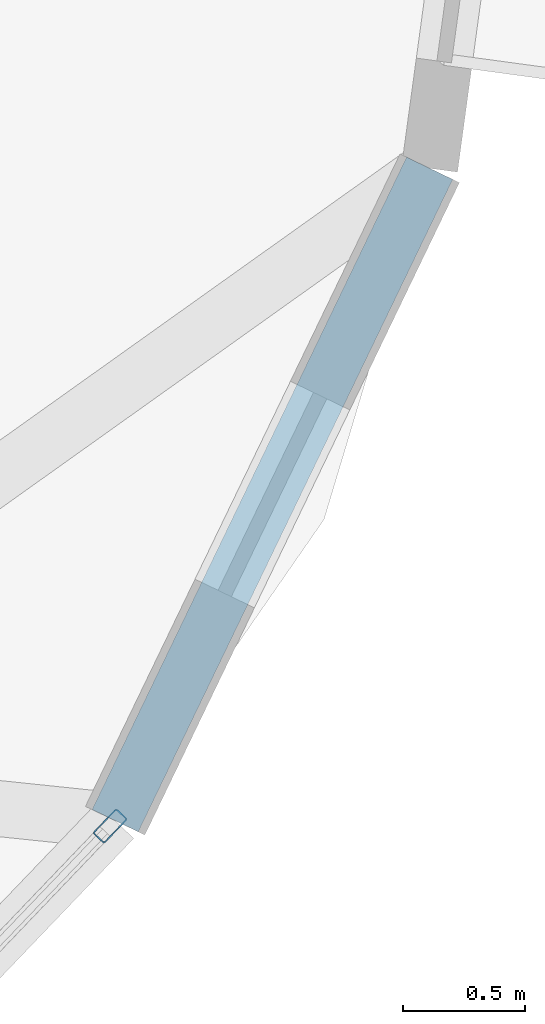
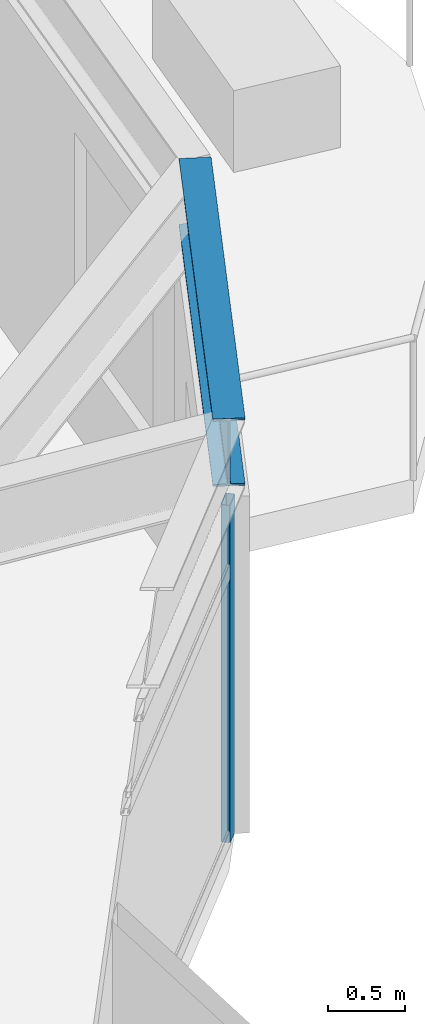
# One storey, part 13 of 27: 1 beam, 1 member, 1 element without a shape of its own.
"""IFC4 building model written with IfcOpenShell, lengths in metres."""

from ifc_helpers import new_model, si_unit, direction, frame, origin, origin_2d, place, context, subcontext, project, spatial, hollow_rectangle, i_section, extrude, material, layer, layer_set, material_profile, profile_set, type_object, element, aggregate, save


model = new_model("IFC4")

# Units and contexts
model_context = context("Model", 3, precision=1e-05, world=origin(), true_north=direction((0.0, 1.0)))
body_context = subcontext(model_context, "Body", "Model", "MODEL_VIEW")
ifc_project = project(units=[si_unit("LENGTHUNIT", "METRE"), si_unit("AREAUNIT", "SQUARE_METRE"), si_unit("VOLUMEUNIT", "CUBIC_METRE"), si_unit("PLANEANGLEUNIT", "RADIAN"), si_unit("MASSUNIT", "GRAM", prefix="KILO")], contexts=[model_context])

# Site, building, storey
site_placement = place(None, origin())
site = spatial("IfcSite", under=ifc_project, at=site_placement, CompositionType="ELEMENT")
building_placement = place(site_placement, origin())
building = spatial("IfcBuilding", under=site, at=building_placement, Name="Soratama Intermodal Tower", CompositionType="ELEMENT")
storey_placement = place(building_placement, frame((0.0, 0.0, 208.60009765625)))
storey = spatial("IfcBuildingStorey", under=building, at=storey_placement, Name="L52", CompositionType="ELEMENT", Elevation=208.60009765625)

# Beam
ifc_material_1 = material(Name="Structural steel ASTM A992 Grade 50", Category="steel")
ifc_material_profile_1 = material_profile(ifc_material_1, i_section(OverallWidth=0.2099609375, OverallDepth=0.537109375, WebThickness=0.010986328125, FlangeThickness=0.017333984375, FilletRadius=0.012939453125, at=origin_2d()), Name="W21X68")
ifc_profile_set_1 = profile_set([ifc_material_profile_1], Name="Structural steel ASTM A992 Grade 50")
beam_type = type_object("IfcBeamType", Name="BM-SPN-W21X68", PredefinedType="SPANDREL", material=ifc_profile_set_1)
beam_placement = place(storey_placement, frame((62.4951171875, 14.9189453125, 3.031494140625), z_axis=(0.434162040118, 0.900834792246, 0.0), x_axis=(-0.900834792246, 0.434162040118, 0.0)))
element("IfcBeam", 1, at=beam_placement, inside=storey, type_object=beam_type, Name="BS-L52-CRN08", PredefinedType="SPANDREL", context=body_context, shape_type="SweptSolid", body=[
    extrude(i_section(OverallWidth=0.2099609375, OverallDepth=0.537109375, WebThickness=0.010986328125, FlangeThickness=0.017333984375, FilletRadius=0.012939453125, at=origin_2d()), origin(), (0.0, 0.0, 1.0), 2.96630859375),
])

# Curtain wall, member
ifc_material_2 = material(Name="Double-glazed aluminium curtain wall", Category="aluminium")
ifc_layer = layer(ifc_material_2, 0.159912109375)
ifc_layer_set = layer_set([ifc_layer], Name="Double-glazed aluminium curtain wall")
curtain_wall_type = type_object("IfcCurtainWallType", Name="CW-SYS-5", PredefinedType="NOTDEFINED", material=ifc_layer_set)
curtain_wall_placement = place(storey_placement, origin())
curtain_wall = element("IfcCurtainWall", 2, at=curtain_wall_placement, inside=storey, type_object=curtain_wall_type, Name="L52 Faceted Curtain Wall F08", PredefinedType="NOTDEFINED")
ifc_material_3 = material(Name="Anodised aluminium AA 6063-T6", Category="aluminium")
ifc_material_profile_2 = material_profile(ifc_material_3, hollow_rectangle(XDim=0.06494140625, YDim=0.139892578125, WallThickness=0.0048828125, InnerFilletRadius=0.0048828125, OuterFilletRadius=0.010009765625, at=origin_2d()), Name="CWM140X65X5")
ifc_profile_set_2 = profile_set([ifc_material_profile_2], Name="Anodised aluminium AA 6063-T6")
member_type = type_object("IfcMemberType", Name="MT-CWM-5", PredefinedType="MULLION", material=ifc_profile_set_2)
member_placement = place(storey_placement, frame((62.47412109375, 14.89697265625, 0.0), z_axis=(0.0, 0.0, 1.0), x_axis=(-0.72248523177, 0.691386353549, 0.0)))
member = element("IfcMember", 3, at=member_placement, type_object=member_type, Name="CW-5 mullion 3", PredefinedType="MULLION", context=body_context, shape_type="SweptSolid", body=[
    extrude(hollow_rectangle(XDim=0.06494140625, YDim=0.139892578125, WallThickness=0.0048828125, InnerFilletRadius=0.0048828125, OuterFilletRadius=0.010009765625, at=origin_2d()), origin(), (0.0, 0.0, 1.0), 2.678955078125),
])
aggregate(curtain_wall, [member])

save(model, "model.ifc")
